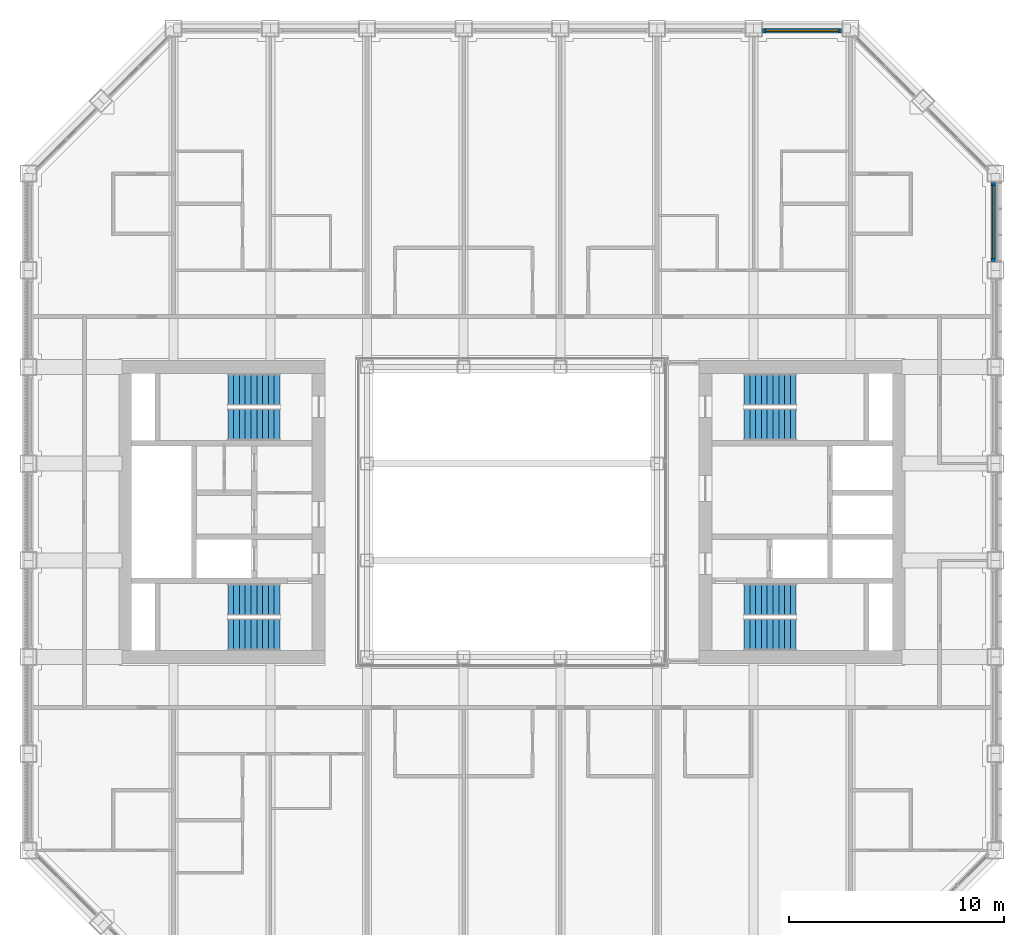
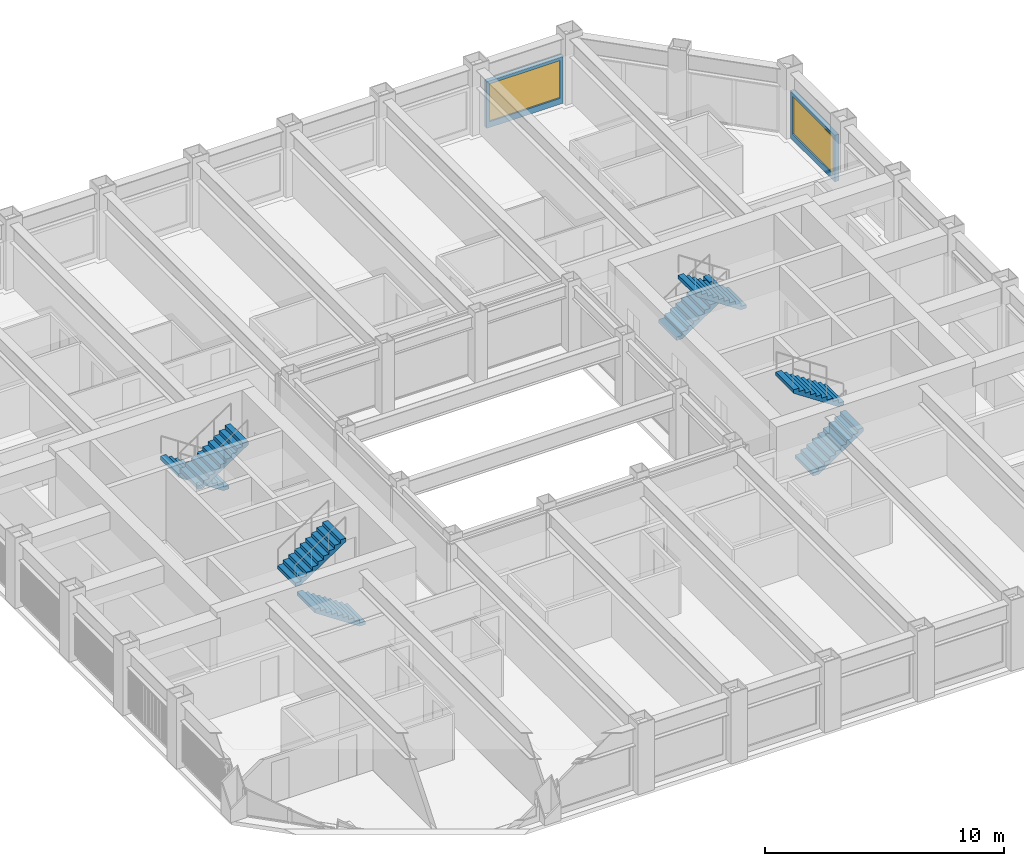
# One storey, part 15 of 18: 8 stair flights, 2 walls, 2 windows, 2 openings, 4 elements without a shape of their own.
"""IFC4 building model written with IfcOpenShell, lengths in metres."""

from ifc_helpers import new_model, si_unit, direction, frame, frame_2d, origin, place, context, subcontext, project, spatial, polyline, rectangle, outline, extrude, material, layer, layer_set, type_object, element, fill, aggregate, save


model = new_model("IFC4")

# Units and contexts
model_context = context("Model", 3, precision=1e-05, world=origin(), true_north=direction((0.0, 1.0)))
body_context = subcontext(model_context, "Body", "Model", "MODEL_VIEW")
ifc_project = project(units=[si_unit("LENGTHUNIT", "METRE"), si_unit("AREAUNIT", "SQUARE_METRE"), si_unit("VOLUMEUNIT", "CUBIC_METRE"), si_unit("PLANEANGLEUNIT", "RADIAN"), si_unit("MASSUNIT", "GRAM", prefix="KILO")], contexts=[model_context])

# Site, building, storey
site_placement = place(None, origin())
site = spatial("IfcSite", under=ifc_project, at=site_placement, CompositionType="ELEMENT")
building_placement = place(site_placement, origin())
building = spatial("IfcBuilding", under=site, at=building_placement, Name="Msasa Ring Tower", CompositionType="ELEMENT")
storey_placement = place(building_placement, frame((0.0, 0.0, 186.800048828125)))
storey = spatial("IfcBuildingStorey", under=building, at=storey_placement, Name="L49", CompositionType="ELEMENT", Elevation=186.800048828125)

# Wall, opening, window
ifc_material_1 = material(Name="Terracotta rainscreen on blockwork", Category="masonry")
ifc_layer = layer(ifc_material_1, 0.199951171875)
ifc_layer_set = layer_set([ifc_layer], Name="FW1 TERRACOTTA-LINED INFILL BAY WALL 200")
wall_type = type_object("IfcWallType", Name="FW1 TERRACOTTA-LINED INFILL BAY WALL 200", PredefinedType="SOLIDWALL", material=ifc_layer_set)
wall_1_placement = place(storey_placement, frame((22.39990234375, 11.655029296875, 0.0), z_axis=(0.0, 0.0, 1.0), x_axis=(0.0, 1.0, 0.0)))
wall_1 = element("IfcWall", 1, at=wall_1_placement, inside=storey, type_object=wall_type, Name="Infill bay wall E L49 15", PredefinedType="SOLIDWALL", context=body_context, shape_type="SweptSolid", body=[
    extrude(rectangle(XDim=3.68994140625, YDim=0.199951171875, at=frame_2d((1.844970703125, 0.0))), origin(), (0.0, 0.0, 1.0), 2.37890625),
])
opening_1_placement = place(wall_1_placement, frame((0.14501953125, 0.0, 0.300048828125)))
opening_1 = element("IfcOpeningElement", 2, at=opening_1_placement, cuts=wall_1, Name="Opening WN7", PredefinedType="OPENING", context=body_context, shape_type="SweptSolid", body=[
    extrude(rectangle(XDim=3.39990234375, YDim=1.928955078125, at=frame_2d((1.699951171875, 0.96435546875))), frame((0.0, 0.10986328125, 0.0), z_axis=(0.0, -1.0, 0.0), x_axis=(1.0, 0.0, 0.0)), (0.0, 0.0, 1.0), 0.219970703125),
])
ifc_material_2 = material(Name="Aluminium frame with clear glass", Category="aluminium")
window_type = type_object("IfcWindowType", Name="WN7 GUEST ROOM WINDOW 3400x1929", PartitioningType="SINGLE_PANEL", PredefinedType="WINDOW", material=ifc_material_2)
window_1_placement = place(opening_1_placement, origin())
window_1 = element("IfcWindow", 3, at=window_1_placement, inside=storey, type_object=window_type, Name="Window E L49 15", OverallHeight=1.928955078125, OverallWidth=3.39990234375, PartitioningType="SINGLE_PANEL", PredefinedType="WINDOW", context=body_context, shape_type="SweptSolid", body=[
    extrude(rectangle(XDim=3.39990234375, YDim=1.928955078125, at=frame_2d((1.699951171875, 0.96435546875))), frame((0.0, 0.030029296875, 0.0), z_axis=(0.0, -1.0, 0.0), x_axis=(1.0, 0.0, 0.0)), (0.0, 0.0, 1.0), 0.06005859375),
])
fill(opening_1, window_1)

wall_2_placement = place(storey_placement, frame((11.655029296875, 22.39990234375, 0.0), z_axis=(0.0, 0.0, 1.0), x_axis=(1.0, 0.0, 0.0)))
wall_2 = element("IfcWall", 4, at=wall_2_placement, inside=storey, type_object=wall_type, Name="Infill bay wall N L49 24", PredefinedType="SOLIDWALL", context=body_context, shape_type="SweptSolid", body=[
    extrude(rectangle(XDim=3.68994140625, YDim=0.199951171875, at=frame_2d((1.844970703125, 0.0))), origin(), (0.0, 0.0, 1.0), 2.37890625),
])
opening_2_placement = place(wall_2_placement, frame((0.14501953125, 0.0, 0.300048828125)))
opening_2 = element("IfcOpeningElement", 5, at=opening_2_placement, cuts=wall_2, Name="Opening WN7", PredefinedType="OPENING", context=body_context, shape_type="SweptSolid", body=[
    extrude(rectangle(XDim=3.39990234375, YDim=1.928955078125, at=frame_2d((1.699951171875, 0.96435546875))), frame((0.0, 0.10986328125, 0.0), z_axis=(0.0, -1.0, 0.0), x_axis=(1.0, 0.0, 0.0)), (0.0, 0.0, 1.0), 0.219970703125),
])
window_2_placement = place(opening_2_placement, origin())
window_2 = element("IfcWindow", 6, at=window_2_placement, inside=storey, type_object=window_type, Name="Window N L49 24", OverallHeight=1.928955078125, OverallWidth=3.39990234375, PartitioningType="SINGLE_PANEL", PredefinedType="WINDOW", context=body_context, shape_type="SweptSolid", body=[
    extrude(rectangle(XDim=3.39990234375, YDim=1.928955078125, at=frame_2d((1.699951171875, 0.96435546875))), frame((0.0, 0.030029296875, 0.0), z_axis=(0.0, -1.0, 0.0), x_axis=(1.0, 0.0, 0.0)), (0.0, 0.0, 1.0), 0.06005859375),
])
fill(opening_2, window_2)

# Stair, stair flights
ifc_material_3 = material(Name="Concrete C40/50", Category="concrete")
stair_type = type_object("IfcStairType", Name="STC CORE STAIR 20 RISERS 180", PredefinedType="HALF_TURN_STAIR", material=ifc_material_3)
stair_1_placement = place(storey_placement, origin())
stair_1 = element("IfcStair", 7, at=stair_1_placement, inside=storey, type_object=stair_type, Name="Core stair SEA L49", PredefinedType="HALF_TURN_STAIR")
ifc_material_4 = material(Name="Concrete C40/50", Category="concrete")
stair_flight_type = type_object("IfcStairFlightType", Name="ST14 CORE STAIR FLIGHT 1500 10 RISERS 180", PredefinedType="STRAIGHT", material=ifc_material_4)
stair_flight_1_placement = place(storey_placement, frame((10.800048828125, -5.699951171875, 0.0), z_axis=(0.0, 0.0, 1.0), x_axis=(1.0, 0.0, 0.0)))
stair_flight_1 = element("IfcStairFlight", 8, at=stair_flight_1_placement, type_object=stair_flight_type, Name="SEA flight 1", NumberOfRisers=10, NumberOfTreads=9, PredefinedType="STRAIGHT", RiserHeight=0.18, TreadLength=0.27, context=body_context, shape_type="SweptSolid", body=[
    extrude(outline(polyline([(0.0, 0.0), (0.0, 0.179931640625), (0.27001953125, 0.179931640625), (0.27001953125, 0.360107421875), (0.5400390625, 0.360107421875), (0.5400390625, 0.5400390625), (0.81005859375, 0.5400390625), (0.81005859375, 0.719970703125), (1.080078125, 0.719970703125), (1.080078125, 0.89990234375), (1.35009765625, 0.89990234375), (1.35009765625, 1.080078125), (1.6201171875, 1.080078125), (1.6201171875, 1.260009765625), (1.889892578125, 1.260009765625), (1.889892578125, 1.43994140625), (2.159912109375, 1.43994140625), (2.159912109375, 1.6201171875), (2.429931640625, 1.6201171875), (2.429931640625, 1.800048828125), (2.429931640625, 1.43994140625), (0.270263671875, 0.0), (0.0, 0.0)])), frame((0.0, 0.75, 0.0), z_axis=(0.0, -1.0, 0.0), x_axis=(1.0, 0.0, 0.0)), (0.0, 0.0, 1.0), 1.5),
])
stair_flight_2_placement = place(storey_placement, frame((13.22998046875, -4.074951171875, 1.800048828125), z_axis=(0.0, 0.0, 1.0), x_axis=(-1.0, 0.0, 0.0)))
stair_flight_2 = element("IfcStairFlight", 9, at=stair_flight_2_placement, type_object=stair_flight_type, Name="SEA flight 2", NumberOfRisers=10, NumberOfTreads=9, PredefinedType="STRAIGHT", RiserHeight=0.18, TreadLength=0.27, context=body_context, shape_type="SweptSolid", body=[
    extrude(outline(polyline([(0.0, 0.0), (0.0, 0.179931640625), (0.27001953125, 0.179931640625), (0.27001953125, 0.360107421875), (0.5400390625, 0.360107421875), (0.5400390625, 0.5400390625), (0.81005859375, 0.5400390625), (0.81005859375, 0.719970703125), (1.080078125, 0.719970703125), (1.080078125, 0.89990234375), (1.35009765625, 0.89990234375), (1.35009765625, 1.080078125), (1.6201171875, 1.080078125), (1.6201171875, 1.260009765625), (1.889892578125, 1.260009765625), (1.889892578125, 1.43994140625), (2.159912109375, 1.43994140625), (2.159912109375, 1.6201171875), (2.429931640625, 1.6201171875), (2.429931640625, 1.800048828125), (2.429931640625, 1.43994140625), (0.270263671875, 0.0), (0.0, 0.0)])), frame((0.0, 0.75, 0.0), z_axis=(0.0, -1.0, 0.0), x_axis=(1.0, 0.0, 0.0)), (0.0, 0.0, 1.0), 1.5),
])
aggregate(stair_1, [stair_flight_1, stair_flight_2])

stair_2_placement = place(storey_placement, origin())
stair_2 = element("IfcStair", 10, at=stair_2_placement, inside=storey, type_object=stair_type, Name="Core stair SEB L49", PredefinedType="HALF_TURN_STAIR")
stair_flight_3_placement = place(storey_placement, frame((10.800048828125, 5.699951171875, 0.0), z_axis=(0.0, 0.0, 1.0), x_axis=(1.0, 0.0, 0.0)))
stair_flight_3 = element("IfcStairFlight", 11, at=stair_flight_3_placement, type_object=stair_flight_type, Name="SEB flight 1", NumberOfRisers=10, NumberOfTreads=9, PredefinedType="STRAIGHT", RiserHeight=0.18, TreadLength=0.27, context=body_context, shape_type="SweptSolid", body=[
    extrude(outline(polyline([(0.0, 0.0), (0.0, 0.179931640625), (0.27001953125, 0.179931640625), (0.27001953125, 0.360107421875), (0.5400390625, 0.360107421875), (0.5400390625, 0.5400390625), (0.81005859375, 0.5400390625), (0.81005859375, 0.719970703125), (1.080078125, 0.719970703125), (1.080078125, 0.89990234375), (1.35009765625, 0.89990234375), (1.35009765625, 1.080078125), (1.6201171875, 1.080078125), (1.6201171875, 1.260009765625), (1.889892578125, 1.260009765625), (1.889892578125, 1.43994140625), (2.159912109375, 1.43994140625), (2.159912109375, 1.6201171875), (2.429931640625, 1.6201171875), (2.429931640625, 1.800048828125), (2.429931640625, 1.43994140625), (0.270263671875, 0.0), (0.0, 0.0)])), frame((0.0, 0.75, 0.0), z_axis=(0.0, -1.0, 0.0), x_axis=(1.0, 0.0, 0.0)), (0.0, 0.0, 1.0), 1.5),
])
stair_flight_4_placement = place(storey_placement, frame((13.22998046875, 4.074951171875, 1.800048828125), z_axis=(0.0, 0.0, 1.0), x_axis=(-1.0, 0.0, 0.0)))
stair_flight_4 = element("IfcStairFlight", 12, at=stair_flight_4_placement, type_object=stair_flight_type, Name="SEB flight 2", NumberOfRisers=10, NumberOfTreads=9, PredefinedType="STRAIGHT", RiserHeight=0.18, TreadLength=0.27, context=body_context, shape_type="SweptSolid", body=[
    extrude(outline(polyline([(0.0, 0.0), (0.0, 0.179931640625), (0.27001953125, 0.179931640625), (0.27001953125, 0.360107421875), (0.5400390625, 0.360107421875), (0.5400390625, 0.5400390625), (0.81005859375, 0.5400390625), (0.81005859375, 0.719970703125), (1.080078125, 0.719970703125), (1.080078125, 0.89990234375), (1.35009765625, 0.89990234375), (1.35009765625, 1.080078125), (1.6201171875, 1.080078125), (1.6201171875, 1.260009765625), (1.889892578125, 1.260009765625), (1.889892578125, 1.43994140625), (2.159912109375, 1.43994140625), (2.159912109375, 1.6201171875), (2.429931640625, 1.6201171875), (2.429931640625, 1.800048828125), (2.429931640625, 1.43994140625), (0.270263671875, 0.0), (0.0, 0.0)])), frame((0.0, 0.75, 0.0), z_axis=(0.0, -1.0, 0.0), x_axis=(1.0, 0.0, 0.0)), (0.0, 0.0, 1.0), 1.5),
])
aggregate(stair_2, [stair_flight_3, stair_flight_4])

stair_3_placement = place(storey_placement, origin())
stair_3 = element("IfcStair", 13, at=stair_3_placement, inside=storey, type_object=stair_type, Name="Core stair SWA L49", PredefinedType="HALF_TURN_STAIR")
stair_flight_5_placement = place(storey_placement, frame((-10.800048828125, -5.699951171875, 0.0), z_axis=(0.0, 0.0, 1.0), x_axis=(-1.0, 0.0, 0.0)))
stair_flight_5 = element("IfcStairFlight", 14, at=stair_flight_5_placement, type_object=stair_flight_type, Name="SWA flight 1", NumberOfRisers=10, NumberOfTreads=9, PredefinedType="STRAIGHT", RiserHeight=0.18, TreadLength=0.27, context=body_context, shape_type="SweptSolid", body=[
    extrude(outline(polyline([(0.0, 0.0), (0.0, 0.179931640625), (0.27001953125, 0.179931640625), (0.27001953125, 0.360107421875), (0.5400390625, 0.360107421875), (0.5400390625, 0.5400390625), (0.81005859375, 0.5400390625), (0.81005859375, 0.719970703125), (1.080078125, 0.719970703125), (1.080078125, 0.89990234375), (1.35009765625, 0.89990234375), (1.35009765625, 1.080078125), (1.6201171875, 1.080078125), (1.6201171875, 1.260009765625), (1.889892578125, 1.260009765625), (1.889892578125, 1.43994140625), (2.159912109375, 1.43994140625), (2.159912109375, 1.6201171875), (2.429931640625, 1.6201171875), (2.429931640625, 1.800048828125), (2.429931640625, 1.43994140625), (0.270263671875, 0.0), (0.0, 0.0)])), frame((0.0, 0.75, 0.0), z_axis=(0.0, -1.0, 0.0), x_axis=(1.0, 0.0, 0.0)), (0.0, 0.0, 1.0), 1.5),
])
stair_flight_6_placement = place(storey_placement, frame((-13.22998046875, -4.074951171875, 1.800048828125), z_axis=(0.0, 0.0, 1.0), x_axis=(1.0, 0.0, 0.0)))
stair_flight_6 = element("IfcStairFlight", 15, at=stair_flight_6_placement, type_object=stair_flight_type, Name="SWA flight 2", NumberOfRisers=10, NumberOfTreads=9, PredefinedType="STRAIGHT", RiserHeight=0.18, TreadLength=0.27, context=body_context, shape_type="SweptSolid", body=[
    extrude(outline(polyline([(0.0, 0.0), (0.0, 0.179931640625), (0.27001953125, 0.179931640625), (0.27001953125, 0.360107421875), (0.5400390625, 0.360107421875), (0.5400390625, 0.5400390625), (0.81005859375, 0.5400390625), (0.81005859375, 0.719970703125), (1.080078125, 0.719970703125), (1.080078125, 0.89990234375), (1.35009765625, 0.89990234375), (1.35009765625, 1.080078125), (1.6201171875, 1.080078125), (1.6201171875, 1.260009765625), (1.889892578125, 1.260009765625), (1.889892578125, 1.43994140625), (2.159912109375, 1.43994140625), (2.159912109375, 1.6201171875), (2.429931640625, 1.6201171875), (2.429931640625, 1.800048828125), (2.429931640625, 1.43994140625), (0.270263671875, 0.0), (0.0, 0.0)])), frame((0.0, 0.75, 0.0), z_axis=(0.0, -1.0, 0.0), x_axis=(1.0, 0.0, 0.0)), (0.0, 0.0, 1.0), 1.5),
])
aggregate(stair_3, [stair_flight_5, stair_flight_6])

stair_4_placement = place(storey_placement, origin())
stair_4 = element("IfcStair", 16, at=stair_4_placement, inside=storey, type_object=stair_type, Name="Core stair SWB L49", PredefinedType="HALF_TURN_STAIR")
stair_flight_7_placement = place(storey_placement, frame((-10.800048828125, 5.699951171875, 0.0), z_axis=(0.0, 0.0, 1.0), x_axis=(-1.0, 0.0, 0.0)))
stair_flight_7 = element("IfcStairFlight", 17, at=stair_flight_7_placement, type_object=stair_flight_type, Name="SWB flight 1", NumberOfRisers=10, NumberOfTreads=9, PredefinedType="STRAIGHT", RiserHeight=0.18, TreadLength=0.27, context=body_context, shape_type="SweptSolid", body=[
    extrude(outline(polyline([(0.0, 0.0), (0.0, 0.179931640625), (0.27001953125, 0.179931640625), (0.27001953125, 0.360107421875), (0.5400390625, 0.360107421875), (0.5400390625, 0.5400390625), (0.81005859375, 0.5400390625), (0.81005859375, 0.719970703125), (1.080078125, 0.719970703125), (1.080078125, 0.89990234375), (1.35009765625, 0.89990234375), (1.35009765625, 1.080078125), (1.6201171875, 1.080078125), (1.6201171875, 1.260009765625), (1.889892578125, 1.260009765625), (1.889892578125, 1.43994140625), (2.159912109375, 1.43994140625), (2.159912109375, 1.6201171875), (2.429931640625, 1.6201171875), (2.429931640625, 1.800048828125), (2.429931640625, 1.43994140625), (0.270263671875, 0.0), (0.0, 0.0)])), frame((0.0, 0.75, 0.0), z_axis=(0.0, -1.0, 0.0), x_axis=(1.0, 0.0, 0.0)), (0.0, 0.0, 1.0), 1.5),
])
stair_flight_8_placement = place(storey_placement, frame((-13.22998046875, 4.074951171875, 1.800048828125), z_axis=(0.0, 0.0, 1.0), x_axis=(1.0, 0.0, 0.0)))
stair_flight_8 = element("IfcStairFlight", 18, at=stair_flight_8_placement, type_object=stair_flight_type, Name="SWB flight 2", NumberOfRisers=10, NumberOfTreads=9, PredefinedType="STRAIGHT", RiserHeight=0.18, TreadLength=0.27, context=body_context, shape_type="SweptSolid", body=[
    extrude(outline(polyline([(0.0, 0.0), (0.0, 0.179931640625), (0.27001953125, 0.179931640625), (0.27001953125, 0.360107421875), (0.5400390625, 0.360107421875), (0.5400390625, 0.5400390625), (0.81005859375, 0.5400390625), (0.81005859375, 0.719970703125), (1.080078125, 0.719970703125), (1.080078125, 0.89990234375), (1.35009765625, 0.89990234375), (1.35009765625, 1.080078125), (1.6201171875, 1.080078125), (1.6201171875, 1.260009765625), (1.889892578125, 1.260009765625), (1.889892578125, 1.43994140625), (2.159912109375, 1.43994140625), (2.159912109375, 1.6201171875), (2.429931640625, 1.6201171875), (2.429931640625, 1.800048828125), (2.429931640625, 1.43994140625), (0.270263671875, 0.0), (0.0, 0.0)])), frame((0.0, 0.75, 0.0), z_axis=(0.0, -1.0, 0.0), x_axis=(1.0, 0.0, 0.0)), (0.0, 0.0, 1.0), 1.5),
])
aggregate(stair_4, [stair_flight_7, stair_flight_8])

save(model, "model.ifc")
